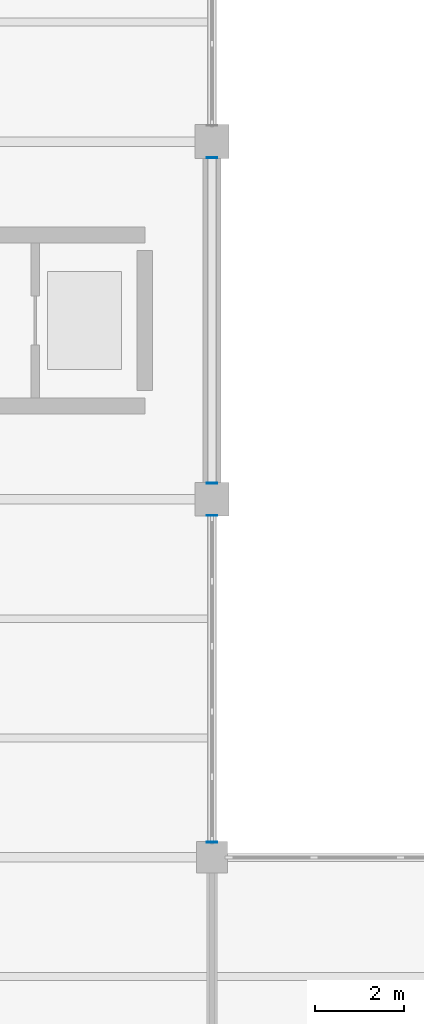
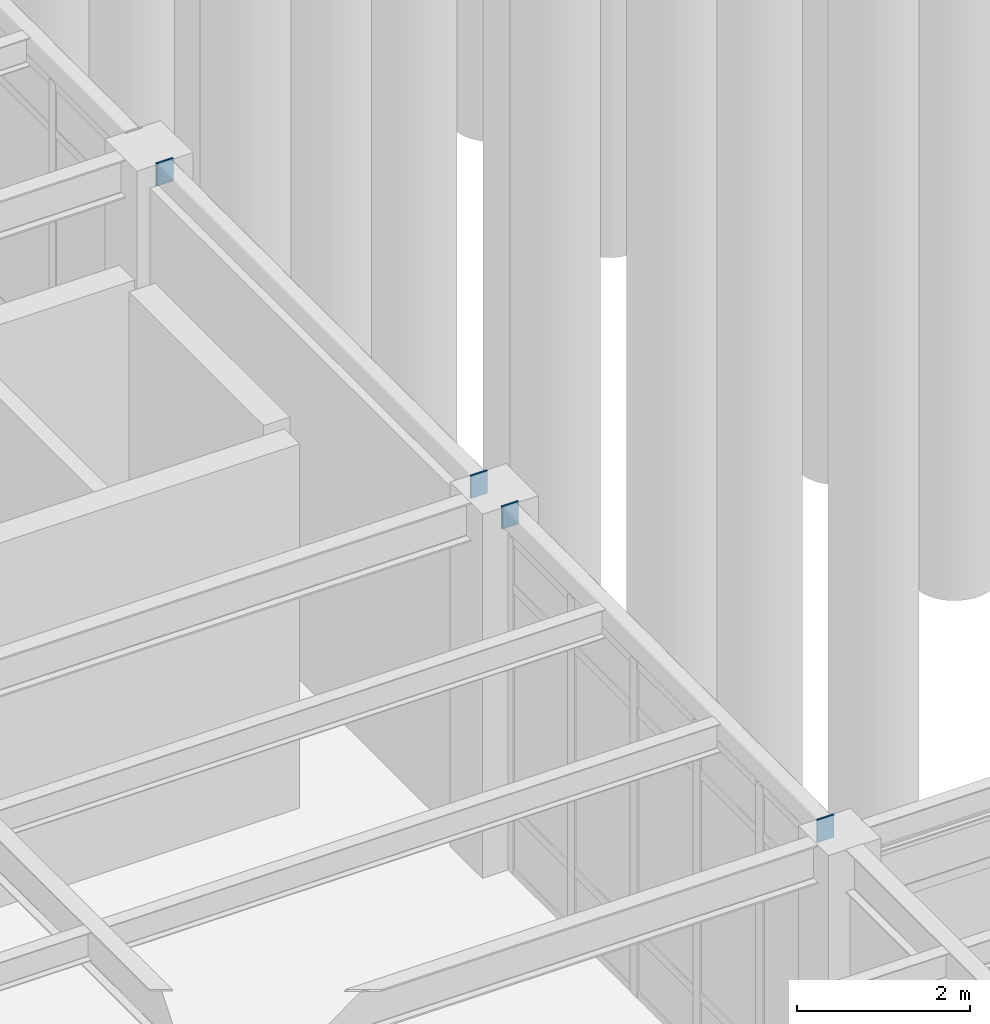
# One storey, part 111 of 138: 4 discrete accessories.
"""IFC4 building model written with IfcOpenShell, lengths in metres."""

from ifc_helpers import new_model, si_unit, direction, frame, origin, origin_2d, place, context, subcontext, project, spatial, rectangle, extrude, material, layer, layer_set, type_object, element, save


model = new_model("IFC4")

# Units and contexts
model_context = context("Model", 3, precision=1e-05, world=origin(), true_north=direction((0.0, 1.0)))
body_context = subcontext(model_context, "Body", "Model", "MODEL_VIEW")
ifc_project = project(units=[si_unit("LENGTHUNIT", "METRE"), si_unit("AREAUNIT", "SQUARE_METRE"), si_unit("VOLUMEUNIT", "CUBIC_METRE"), si_unit("PLANEANGLEUNIT", "RADIAN"), si_unit("MASSUNIT", "GRAM", prefix="KILO")], contexts=[model_context])

# Site, building, storey
site_placement = place(None, origin())
site = spatial("IfcSite", under=ifc_project, at=site_placement, CompositionType="ELEMENT")
building_placement = place(site_placement, origin())
building = spatial("IfcBuilding", under=site, at=building_placement, Name="Kranzveld Transit Interchange", CompositionType="ELEMENT")
storey_placement = place(building_placement, origin())
storey = spatial("IfcBuildingStorey", under=building, at=storey_placement, Name="L00", CompositionType="ELEMENT", Elevation=0.0)

# Discrete accessories
ifc_material = material(Name="Steel S355JR", Category="steel")
ifc_layer = layer(ifc_material, 0.02001953125)
ifc_layer_set = layer_set([ifc_layer], Name="Steel S355JR")
discrete_accessory_type = type_object("IfcDiscreteAccessoryType", Name="Hollow Section End Cap Bracket 20 S355JR", PredefinedType="BRACKET", material=ifc_layer_set)
discrete_accessory_placement = place(storey_placement, frame((117.60009765625, 64.343994140625, 5.0), z_axis=(0.0, -1.0, 0.0), x_axis=(1.0, 0.0, 0.0)))
element("IfcDiscreteAccessory", 1, at=discrete_accessory_placement, inside=storey, type_object=discrete_accessory_type, Name="Hollow Section End Cap SP-RHS300-1", PredefinedType="BRACKET", context=body_context, shape_type="SweptSolid", body=[
    extrude(rectangle(XDim=0.22412109375, YDim=0.323974609375, at=origin_2d()), origin(), (0.0, 0.0, 1.0), 0.02001953125),
])
for number, where, z_axis, x_axis, name in (
    (2, (117.60009765625, 71.631103515625, 5.0), (0.0, 1.0, 0.0), (-1.0, 0.0, 0.0), "Hollow Section End Cap SP-RHS300-2"),
    (3, (117.60009765625, 72.368896484375, 5.0), (0.0, -1.0, 0.0), (1.0, 0.0, 0.0), "Hollow Section End Cap SP-RHS300-1"),
    (4, (117.60009765625, 79.631103515625, 5.0), (0.0, 1.0, 0.0), (-1.0, 0.0, 0.0), "Hollow Section End Cap SP-RHS300-2"),
):
    element("IfcDiscreteAccessory", number, at=place(storey_placement, frame(where, z_axis=z_axis, x_axis=x_axis)), inside=storey, type_object=discrete_accessory_type, Name=name, PredefinedType="BRACKET", context=body_context, shape_type="SweptSolid", body=[
        extrude(rectangle(XDim=0.22412109375, YDim=0.323974609375, at=origin_2d()), origin(), (0.0, 0.0, 1.0), 0.019775390625),
    ])

save(model, "model.ifc")
